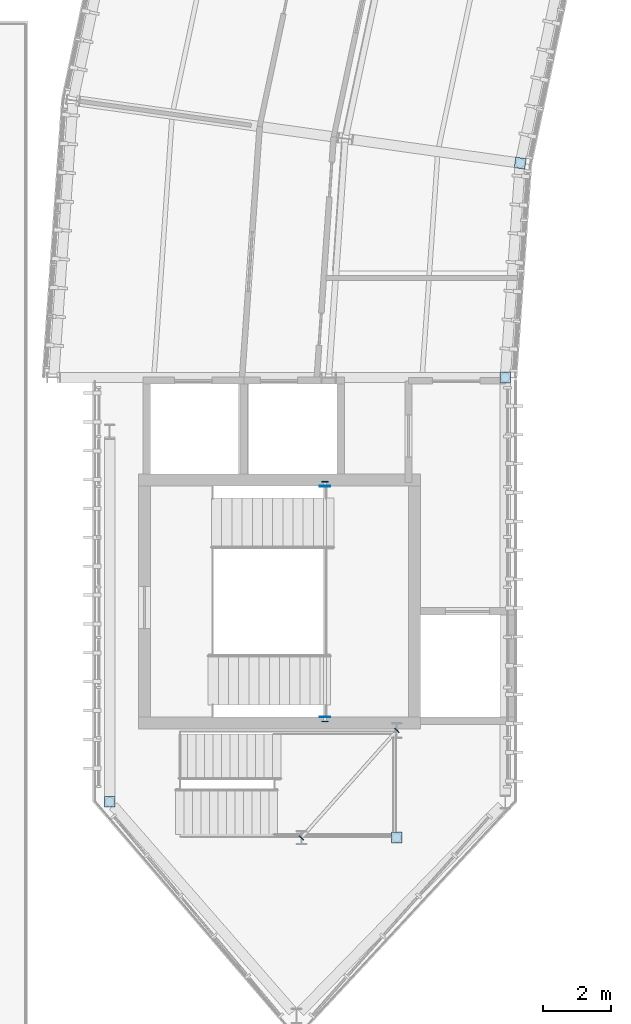
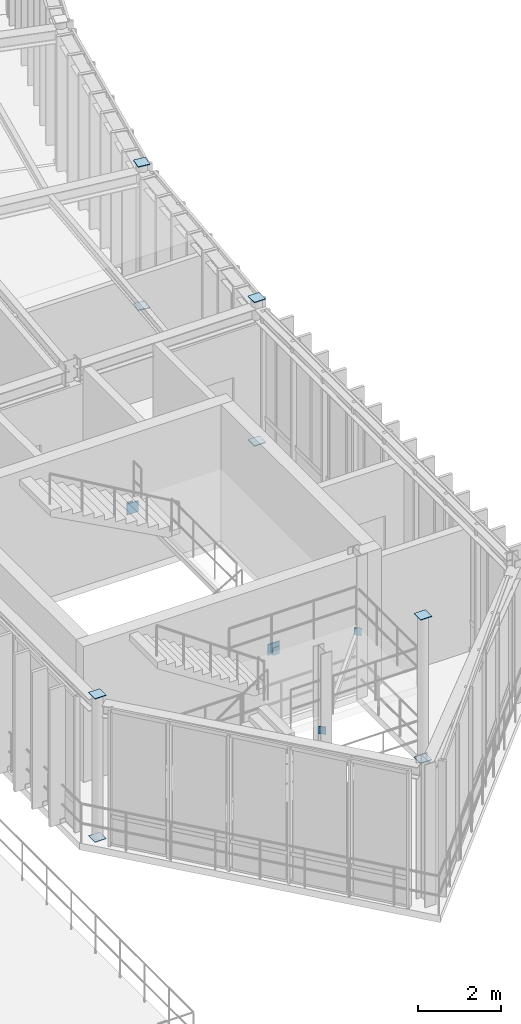
# One storey, part 31 of 52: 14 plates.
"""IFC4 building model written with IfcOpenShell, lengths in metres."""

import ifcopenshell
import ifcopenshell.guid

model = None  # the IFC model being written
_history = None  # IfcOwnerHistory: only IFC2X3 demands one
_inside = {}  # id of a spatial element -> (the spatial element, [elements in it])
_under = {}  # id of a project, library or spatial element -> (it, [spatial elements below it])
_declared = {}  # id of a project -> (the project, [libraries it declares])
_typed = {}  # id of a type object -> (the type object, [elements of that type])
_made_of = {}  # id of a material, layer set ... -> (it, [elements and type objects made of it])


def new_model(schema):
    """Start an empty IFC model of exactly this schema.

    Asked for "IFC4X3", IfcOpenShell would pick the latest addendum, in which some entities
    have other attributes; the version numbers below select the first issue.
    IFC2X3 requires an IfcOwnerHistory on every rooted entity: one is made here for all.
    """
    global model, _history
    if schema == "IFC4X3":
        model = ifcopenshell.file(schema_version=(4, 3, 0, 0))
    else:
        model = ifcopenshell.file(schema=schema)
    _inside.clear()
    _under.clear()
    _declared.clear()
    _typed.clear()
    _made_of.clear()
    _history = None
    if model.schema == "IFC2X3":
        org = make("IfcOrganization", Name="unknown")
        user = make(
            "IfcPersonAndOrganization",
            ThePerson=make("IfcPerson", FamilyName="unknown"),
            TheOrganization=org,
        )
        app = make(
            "IfcApplication",
            ApplicationDeveloper=org,
            Version="unknown",
            ApplicationFullName="unknown",
            ApplicationIdentifier="unknown",
        )
        _history = make(
            "IfcOwnerHistory",
            OwningUser=user,
            OwningApplication=app,
            ChangeAction="ADDED",
            CreationDate=0,
        )
    return model


def make(cls, **values):
    """One entity of the class cls with the attributes given. An attribute that is None is left unset."""
    return model.create_entity(
        cls, **{name: value for name, value in values.items() if value is not None}
    )


def rooted(cls, **values):
    """An entity with a GlobalId (a new one), such as an element, a storey or a relation."""
    return make(cls, GlobalId=ifcopenshell.guid.new(), OwnerHistory=_history, **values)


def si_unit(unit_type, name, prefix=None):
    """IfcSIUnit, for example si_unit("LENGTHUNIT", "METRE", prefix="MILLI")."""
    return make("IfcSIUnit", UnitType=unit_type, Prefix=prefix, Name=name)


def assignment(units):
    """IfcUnitAssignment: the units of a project."""
    return None if units is None else make("IfcUnitAssignment", Units=units)


def point(xyz):
    """IfcCartesianPoint."""
    return None if xyz is None else make("IfcCartesianPoint", Coordinates=xyz)


def direction(xyz):
    """IfcDirection."""
    return None if xyz is None else make("IfcDirection", DirectionRatios=xyz)


def frame(location, z_axis=None, x_axis=None):
    """IfcAxis2Placement3D, a coordinate frame: its origin and axes. An axis left out is left unset."""
    return make(
        "IfcAxis2Placement3D",
        Location=point(location),
        Axis=direction(z_axis),
        RefDirection=direction(x_axis),
    )


def frame_2d(location, x_axis=None):
    """IfcAxis2Placement2D, a coordinate frame in the plane: its origin and x axis."""
    return make(
        "IfcAxis2Placement2D", Location=point(location), RefDirection=direction(x_axis)
    )


def origin():
    """The frame at (0, 0, 0) with its axes left unset."""
    return frame((0.0, 0.0, 0.0))


def origin_2d():
    """The frame at (0, 0) in the plane with its x axis left unset."""
    return frame_2d((0.0, 0.0))


def place(relative_to, where):
    """IfcLocalPlacement: puts the frame where relative to a parent placement (None: the world)."""
    return make(
        "IfcLocalPlacement", PlacementRelTo=relative_to, RelativePlacement=where
    )


def context(
    kind, dimensions, precision=None, world=None, true_north=None, identifier=None
):
    """IfcGeometricRepresentationContext, for example the 3D "Model" context."""
    return make(
        "IfcGeometricRepresentationContext",
        ContextIdentifier=identifier,
        ContextType=kind,
        CoordinateSpaceDimension=dimensions,
        Precision=precision,
        WorldCoordinateSystem=world,
        TrueNorth=true_north,
    )


def subcontext(parent, identifier, kind, view, scale=None):
    """IfcGeometricRepresentationSubContext, for example "Body" below "Model"."""
    return make(
        "IfcGeometricRepresentationSubContext",
        ContextIdentifier=identifier,
        ContextType=kind,
        ParentContext=parent,
        TargetScale=scale,
        TargetView=view,
    )


def project(units=None, contexts=None):
    """IfcProject with its units and contexts."""
    return rooted(
        "IfcProject",
        Name="project",
        RepresentationContexts=contexts,
        UnitsInContext=assignment(units),
    )


def spatial(cls, under=None, at=None, **own):
    """A site, building, storey or space (cls), placed at a placement, below another one or the project."""
    s = rooted(cls, ObjectPlacement=at, **own)
    if under is not None:
        _under.setdefault(under.id(), (under, []))[1].append(s)
    return s


def profile(cls, at=None, kind="AREA", **sizes):
    """A parametric profile (cls). Its sizes go by their IFC names, for example OverallWidth=200.0."""
    return make(cls, ProfileType=kind, Position=at, **sizes)


def rectangle(**sizes):
    """IfcRectangleProfileDef."""
    return profile("IfcRectangleProfileDef", **sizes)


def extrude(swept, where, along, depth):
    """IfcExtrudedAreaSolid: the profile swept, set in the frame where, extruded along a direction by depth."""
    return make(
        "IfcExtrudedAreaSolid",
        SweptArea=swept,
        Position=where,
        ExtrudedDirection=direction(along),
        Depth=depth,
    )


def shape(context_of_items, identifier, shape_type, items):
    """IfcShapeRepresentation: the items that make up one representation, for example the "Body"."""
    return make(
        "IfcShapeRepresentation",
        ContextOfItems=context_of_items,
        RepresentationIdentifier=identifier,
        RepresentationType=shape_type,
        Items=items,
    )


def material(Name=None, Category=None):
    """IfcMaterial."""
    return make("IfcMaterial", Name=Name, Category=Category)


def layer(
    of_material, thickness, ventilated=None, Name=None, Category=None, Priority=None
):
    """IfcMaterialLayer: one layer of a wall or slab, of a material (None: an air gap)."""
    return make(
        "IfcMaterialLayer",
        Material=of_material,
        LayerThickness=thickness,
        IsVentilated=ventilated,
        Name=Name,
        Category=Category,
        Priority=Priority,
    )


def layer_set(layers, Name=None):
    """IfcMaterialLayerSet."""
    return make("IfcMaterialLayerSet", MaterialLayers=layers, LayerSetName=Name)


def made_of(thing, what):
    """Note that an element or type object is made of a material, layer set ...; save() writes the relation."""
    if what is not None:
        _made_of.setdefault(what.id(), (what, []))[1].append(thing)
    return thing


def type_object(cls, material=None, **own):
    """A type object (cls), such as IfcWallType, which elements share."""
    return made_of(rooted(cls, **own), material)


def element(
    cls,
    number,
    at=None,
    inside=None,
    cuts=None,
    type_object=None,
    material=None,
    context=None,
    identifier="Body",
    shape_type=None,
    held_by="IfcProductDefinitionShape",
    body=None,
    shapes=None,
    **own,
):
    """One element of the class cls, such as IfcWall. Its Tag is "e" and its number.

    at: its placement. inside: the storey or other place that contains it. cuts: it is an
    opening in that element (IfcRelVoidsElement). A single representation is given by context,
    identifier, shape_type and body (its items); several are given by shapes. held_by: the class
    of the entity that holds the representations. save() writes the other relations.
    """
    e = rooted(cls, Tag="e%d" % number, ObjectPlacement=at, **own)
    if body is not None:
        shapes = [shape(context, identifier, shape_type, body)]
    if shapes is not None:
        e.Representation = make(held_by, Representations=shapes)
    if inside is not None:
        _inside.setdefault(inside.id(), (inside, []))[1].append(e)
    if cuts is not None:
        rooted(
            "IfcRelVoidsElement", RelatingBuildingElement=cuts, RelatedOpeningElement=e
        )
    if type_object is not None:
        _typed.setdefault(type_object.id(), (type_object, []))[1].append(e)
    return made_of(e, material)


def aggregate(whole, parts):
    """IfcRelAggregates: a whole, such as a stair, and the parts it consists of."""
    return rooted("IfcRelAggregates", RelatingObject=whole, RelatedObjects=parts)


def save(model, path):
    """Write the relations noted so far, then the file.

    IfcRelAggregates (storeys below a building ...), IfcRelContainedInSpatialStructure (elements
    in a storey), IfcRelDefinesByType, IfcRelAssociatesMaterial and IfcRelDeclares: one each for
    every whole, place, type object, material and project.
    """
    for whole, parts in _under.values():
        aggregate(whole, parts)
    for where, things in _inside.values():
        rooted(
            "IfcRelContainedInSpatialStructure",
            RelatedElements=things,
            RelatingStructure=where,
        )
    for kind, things in _typed.values():
        rooted("IfcRelDefinesByType", RelatedObjects=things, RelatingType=kind)
    for what, things in _made_of.values():
        rooted("IfcRelAssociatesMaterial", RelatedObjects=things, RelatingMaterial=what)
    for by, libraries in _declared.values():
        rooted("IfcRelDeclares", RelatingContext=by, RelatedDefinitions=libraries)
    model.write(path)


model = new_model("IFC4")

# Units and contexts
model_context = context("Model", 3, precision=1e-05, world=origin(), true_north=direction((0.0, 1.0)))
body_context = subcontext(model_context, "Body", "Model", "MODEL_VIEW")
ifc_project = project(units=[si_unit("LENGTHUNIT", "METRE"), si_unit("AREAUNIT", "SQUARE_METRE"), si_unit("VOLUMEUNIT", "CUBIC_METRE"), si_unit("PLANEANGLEUNIT", "RADIAN"), si_unit("MASSUNIT", "GRAM", prefix="KILO"), si_unit("THERMODYNAMICTEMPERATUREUNIT", "KELVIN"), si_unit("POWERUNIT", "WATT")], contexts=[model_context])

# Site, building, storey
site_placement = place(None, origin())
site = spatial("IfcSite", under=ifc_project, at=site_placement, CompositionType="ELEMENT")
building_placement = place(site_placement, origin())
building = spatial("IfcBuilding", under=site, at=building_placement, Name="Solvatero Civic Police Headquarters", CompositionType="ELEMENT")
storey_placement = place(building_placement, frame((0.0, 0.0, 13.5)))
storey = spatial("IfcBuildingStorey", under=building, at=storey_placement, Name="L03", CompositionType="ELEMENT", Elevation=13.5)

# Plates
ifc_material = material(Name="Steel S355", Category="steel")
ifc_layer_1 = layer(ifc_material, 0.02001953125)
ifc_layer_set_1 = layer_set([ifc_layer_1], Name="Steel S355")
plate_type_1 = type_object("IfcPlateType", Name="PLT-CAP-20", PredefinedType="SHEET", material=ifc_layer_set_1)
for number, where, z_axis, x_axis, name in (
    (1, (49.09130859375, 32.3115234375, 4.199951171875), (0.0, 0.0, 1.0), (0.13917310096, 0.990268068742, 0.0), "Hollow Section End Cap Plate 0033"),
    (2, (49.09130859375, 32.3115234375, -0.02001953125), (0.0, 0.0, 1.0), (0.13917310096, 0.990268068742, 0.0), "Hollow Section End Cap Plate 0034"),
    (3, (48.64990234375, 26.0, 4.199951171875), (0.0, 0.0, 1.0), (0.0, 1.0, 0.0), "Hollow Section End Cap Plate 0037"),
    (4, (48.64990234375, 26.0, -0.02001953125), (0.0, 0.0, 1.0), (0.0, 1.0, 0.0), "Hollow Section End Cap Plate 0038"),
    (5, (37.0, 13.5, 4.199951171875), (0.0, 0.0, 1.0), (1.0, 0.0, 0.0), "Hollow Section End Cap Plate 0039"),
    (6, (37.0, 13.5, -0.02001953125), (0.0, 0.0, 1.0), (1.0, 0.0, 0.0), "Hollow Section End Cap Plate 0040"),
    (7, (45.449951171875, 12.449951171875, 4.199951171875), (0.0, 0.0, 1.0), (1.0, 0.0, 0.0), "Hollow Section End Cap Plate 0043"),
    (8, (45.449951171875, 12.449951171875, -0.02001953125), (0.0, 0.0, 1.0), (1.0, 0.0, 0.0), "Hollow Section End Cap Plate 0044"),
):
    element("IfcPlate", number, at=place(storey_placement, frame(where, z_axis=z_axis, x_axis=x_axis)), inside=storey, type_object=plate_type_1, Name=name, PredefinedType="SHEET", context=body_context, shape_type="SweptSolid", body=[
        extrude(rectangle(XDim=0.31298828125, YDim=0.31298828125, at=origin_2d()), origin(), (0.0, 0.0, 1.0), 0.02001953125),
    ])
for number, where, z_axis, x_axis, name in (
    (9, (43.340087890625, 15.8701171875, 1.71484375), (0.0, 0.0, 1.0), (1.0, 0.0, 0.0), "Hollow Section Cap Plate 0011"),
    (10, (43.340087890625, 22.929931640625, 1.71484375), (0.0, 0.0, 1.0), (1.0, 0.0, 0.0), "Hollow Section Cap Plate 0012"),
):
    element("IfcPlate", number, at=place(storey_placement, frame(where, z_axis=z_axis, x_axis=x_axis)), inside=storey, type_object=plate_type_1, Name=name, PredefinedType="SHEET", context=body_context, shape_type="SweptSolid", body=[
        extrude(rectangle(XDim=0.179931640625, YDim=0.02001953125, at=origin_2d()), origin(), (0.0, 0.0, 1.0), 0.219970703125),
    ])
for number, where, z_axis, x_axis, name in (
    (11, (42.643310546875, 12.4423828125, 1.7001953125), (0.0, 0.0, 1.0), (0.664369848049, 0.747403977112, 0.0), "Hollow Section Cap Plate 0083"),
    (12, (45.45654296875, 15.607421875, 1.7001953125), (0.0, 0.0, 1.0), (0.664369848049, 0.747403977112, 0.0), "Hollow Section Cap Plate 0084"),
):
    element("IfcPlate", number, at=place(storey_placement, frame(where, z_axis=z_axis, x_axis=x_axis)), inside=storey, type_object=plate_type_1, Name=name, PredefinedType="SHEET", context=body_context, shape_type="SweptSolid", body=[
        extrude(rectangle(XDim=0.02001953125, YDim=0.179931640625, at=origin_2d()), origin(), (0.0, 0.0, 1.0), 0.219970703125),
    ])
ifc_layer_2 = layer(ifc_material, 0.02490234375)
ifc_layer_set_2 = layer_set([ifc_layer_2], Name="Steel S355")
plate_type_2 = type_object("IfcPlateType", Name="PLT-EMB-25", PredefinedType="SHEET", material=ifc_layer_set_2)
for number, where, z_axis, x_axis, name in (
    (13, (43.340087890625, 16.0, 1.6650390625), (0.0, 0.0, 1.0), (1.0, 0.0, 0.0), "Cast-In Shear Wall Embed Plate 0011"),
    (14, (43.340087890625, 22.800048828125, 1.6650390625), (0.0, 0.0, 1.0), (1.0, 0.0, 0.0), "Cast-In Shear Wall Embed Plate 0012"),
):
    element("IfcPlate", number, at=place(storey_placement, frame(where, z_axis=z_axis, x_axis=x_axis)), inside=storey, type_object=plate_type_2, Name=name, PredefinedType="SHEET", context=body_context, shape_type="SweptSolid", body=[
        extrude(rectangle(XDim=0.320068359375, YDim=0.02490234375, at=origin_2d()), origin(), (0.0, 0.0, 1.0), 0.320068359375),
    ])

save(model, "model.ifc")
